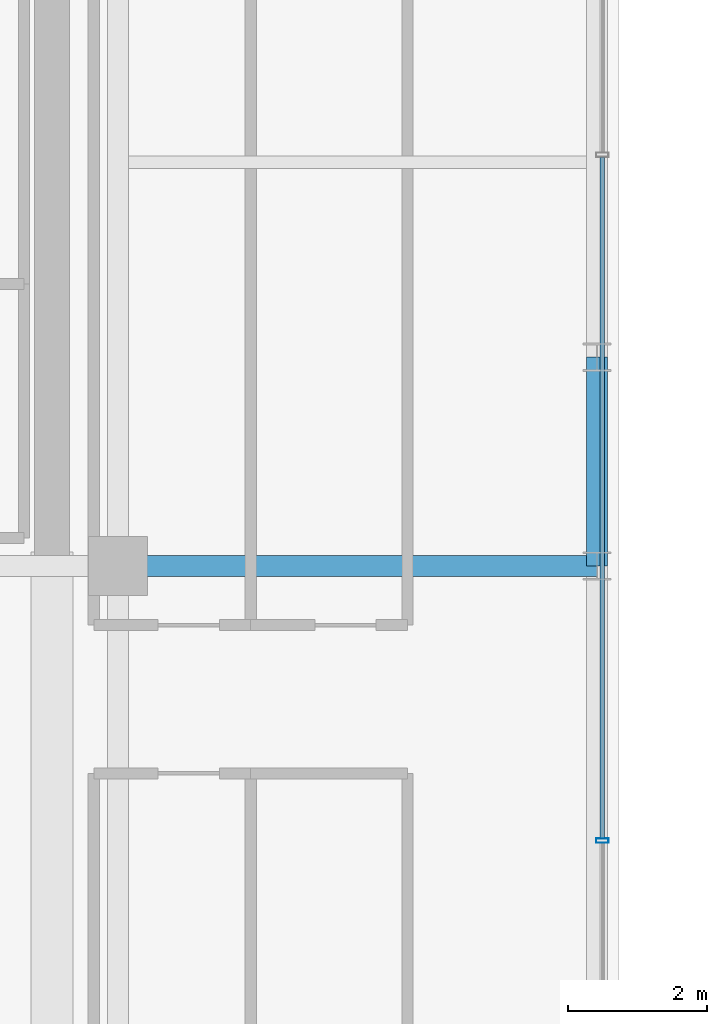
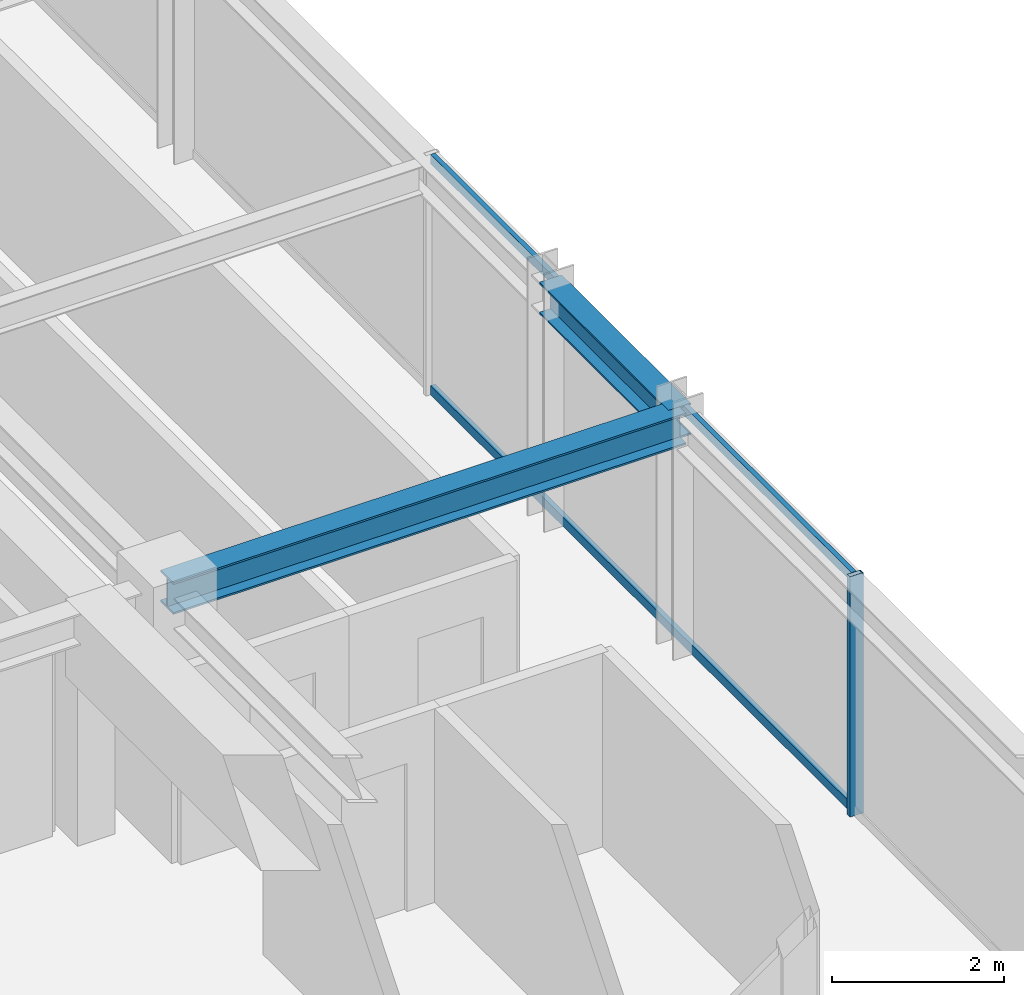
# One storey, part 17 of 36: 3 members, 2 beams, 1 element without a shape of its own.
"""IFC4 building model written with IfcOpenShell, lengths in metres."""

from ifc_helpers import new_model, si_unit, direction, frame, origin, origin_2d, place, context, subcontext, project, spatial, hollow_rectangle, i_section, extrude, source, transform, mapped, material, material_profile, profile_set, type_object, element, aggregate, save


model = new_model("IFC4")

# Units and contexts
model_context = context("Model", 3, precision=1e-05, world=origin(), true_north=direction((0.0, 1.0)))
body_context = subcontext(model_context, "Body", "Model", "MODEL_VIEW")
ifc_project = project(units=[si_unit("LENGTHUNIT", "METRE"), si_unit("AREAUNIT", "SQUARE_METRE"), si_unit("VOLUMEUNIT", "CUBIC_METRE"), si_unit("PLANEANGLEUNIT", "RADIAN"), si_unit("MASSUNIT", "GRAM", prefix="KILO")], contexts=[model_context])

# Site, building, storey
site_placement = place(None, origin())
site = spatial("IfcSite", under=ifc_project, at=site_placement, CompositionType="ELEMENT")
building_placement = place(site_placement, origin())
building = spatial("IfcBuilding", under=site, at=building_placement, Name="Nahalor Promenade Grand Hotel", CompositionType="ELEMENT")
storey_placement = place(building_placement, frame((0.0, 0.0, 234.5)))
storey = spatial("IfcBuildingStorey", under=building, at=storey_placement, Name="L60", CompositionType="ELEMENT", Elevation=234.5)

# Beams
ifc_material_1 = material(Name="Steel S355JR", Category="steel")
ifc_material_profile_1 = material_profile(ifc_material_1, i_section(OverallWidth=0.3, OverallDepth=0.45, WebThickness=0.014, FlangeThickness=0.026, at=origin_2d()), Name="HEB 450")
ifc_profile_set_1 = profile_set([ifc_material_profile_1], Name="Steel S355JR")
beam_type_1 = type_object("IfcBeamType", Name="Beam-Spandrel-HEB450", PredefinedType="SPANDREL", material=ifc_profile_set_1)
shared_shape_1 = source(origin(), body_context, "Body", "SweptSolid", [
    extrude(i_section(OverallWidth=0.3, OverallDepth=0.45, WebThickness=0.014, FlangeThickness=0.026, at=origin_2d()), origin(), (0.0, 0.0, 1.0), 3.0),
])
beam_1_placement = place(storey_placement, frame((23.8798828125, 5.39990234375, 3.18505859375), z_axis=(0.0, 1.0, 0.0), x_axis=(-1.0, 0.0, 0.0)))
element("IfcBeam", 1, at=beam_1_placement, inside=storey, type_object=beam_type_1, Name="BM-L60-SP-E-3", PredefinedType="SPANDREL", context=body_context, shape_type="MappedRepresentation", body=[
    mapped(shared_shape_1, transform((0.0, 0.0, 0.0), scale=1.0)),
])
ifc_material_profile_2 = material_profile(ifc_material_1, i_section(OverallWidth=0.3, OverallDepth=0.45, WebThickness=0.014, FlangeThickness=0.026, at=origin_2d()), Name="HEB 450")
ifc_profile_set_2 = profile_set([ifc_material_profile_2], Name="Steel S355JR")
beam_type_2 = type_object("IfcBeamType", Name="Beam-Girder-HEB450", PredefinedType="BEAM", material=ifc_profile_set_2)
shared_shape_2 = source(origin(), body_context, "Body", "SweptSolid", [
    extrude(i_section(OverallWidth=0.3, OverallDepth=0.45, WebThickness=0.014, FlangeThickness=0.026, at=origin_2d()), origin(), (0.0, 0.0, 1.0), 6.8798828125),
])
beam_2_placement = place(storey_placement, frame((17.0, 5.39990234375, 3.18505859375), z_axis=(1.0, 0.0, 0.0), x_axis=(0.0, 1.0, 0.0)))
element("IfcBeam", 2, at=beam_2_placement, inside=storey, type_object=beam_type_2, Name="BM-L60-GX-2-6", PredefinedType="BEAM", context=body_context, shape_type="MappedRepresentation", body=[
    mapped(shared_shape_2, transform((0.0, 0.0, 0.0), scale=1.0)),
])

# Curtain wall, members
ifc_material_2 = material(Name="Anodised Bronze Aluminium EN AW-6063 T6", Category="aluminium")
curtain_wall_type = type_object("IfcCurtainWallType", Name="CW2 Typical Hotel Flush Bronze Unitised Curtain Wall", PredefinedType="USERDEFINED", material=ifc_material_2)
curtain_wall_placement = place(storey_placement, origin())
curtain_wall = element("IfcCurtainWall", 3, at=curtain_wall_placement, inside=storey, type_object=curtain_wall_type, Name="L60 Curtain Wall CW-L60-E-3", ObjectType="UNITISED_CURTAIN_WALL", PredefinedType="USERDEFINED")
ifc_material_profile_3 = material_profile(ifc_material_2, hollow_rectangle(XDim=0.065, YDim=0.13, WallThickness=0.004, at=origin_2d()), Name="CWT 65x130x4")
ifc_profile_set_3 = profile_set([ifc_material_profile_3], Name="Anodised Bronze Aluminium EN AW-6063 T6")
member_type_1 = type_object("IfcMemberType", Name="CWT2 Typical Bronze Transom 65x130", PredefinedType="USERDEFINED", material=ifc_profile_set_3)
shared_shape_3 = source(origin(), body_context, "Body", "SweptSolid", [
    extrude(hollow_rectangle(XDim=0.065, YDim=0.13, WallThickness=0.004, at=origin_2d()), origin(), (0.0, 0.0, 1.0), 9.788330078125),
])
member_1_placement = place(storey_placement, frame((23.9599609375, 1.48583984375, 0.06494140625), z_axis=(0.0, 1.0, 0.0), x_axis=(-1.0, 0.0, 0.0)))
member_1 = element("IfcMember", 4, at=member_1_placement, type_object=member_type_1, Name="CW-L60-E-3 Transom 1-0", ObjectType="TRANSOM", PredefinedType="USERDEFINED", context=body_context, shape_type="MappedRepresentation", body=[
    mapped(shared_shape_3, transform((0.0, 0.0, 0.0), scale=1.0)),
])
member_2_placement = place(storey_placement, frame((23.9599609375, 1.48583984375, 3.344970703125), z_axis=(0.0, 1.0, 0.0), x_axis=(-1.0, 0.0, 0.0)))
member_2 = element("IfcMember", 5, at=member_2_placement, type_object=member_type_1, Name="CW-L60-E-3 Transom 1-1", ObjectType="TRANSOM", PredefinedType="USERDEFINED", context=body_context, shape_type="MappedRepresentation", body=[
    mapped(shared_shape_3, transform((0.0, 0.0, 0.0), scale=1.0)),
])
ifc_material_profile_4 = material_profile(ifc_material_2, hollow_rectangle(XDim=0.065, YDim=0.18, WallThickness=0.004, at=origin_2d()), Name="CWM 65x180x4")
ifc_profile_set_4 = profile_set([ifc_material_profile_4], Name="Anodised Bronze Aluminium EN AW-6063 T6")
member_type_2 = type_object("IfcMemberType", Name="CWM2 Typical Bronze Mullion 65x180", PredefinedType="MULLION", material=ifc_profile_set_4)
shared_shape_4 = source(origin(), body_context, "Body", "SweptSolid", [
    extrude(hollow_rectangle(XDim=0.065, YDim=0.18, WallThickness=0.004, at=origin_2d()), origin(), (0.0, 0.0, 1.0), 3.409912109375),
])
member_3_placement = place(storey_placement, frame((23.9599609375, 1.453369140625, 0.0), z_axis=(0.0, 0.0, 1.0), x_axis=(0.0, 1.0, 0.0)))
member_3 = element("IfcMember", 6, at=member_3_placement, type_object=member_type_2, Name="CW-L60-E-3 Mullion 1", PredefinedType="MULLION", context=body_context, shape_type="MappedRepresentation", body=[
    mapped(shared_shape_4, transform((0.0, 0.0, 0.0), scale=1.0)),
])
aggregate(curtain_wall, [member_3, member_1, member_2])

save(model, "model.ifc")
